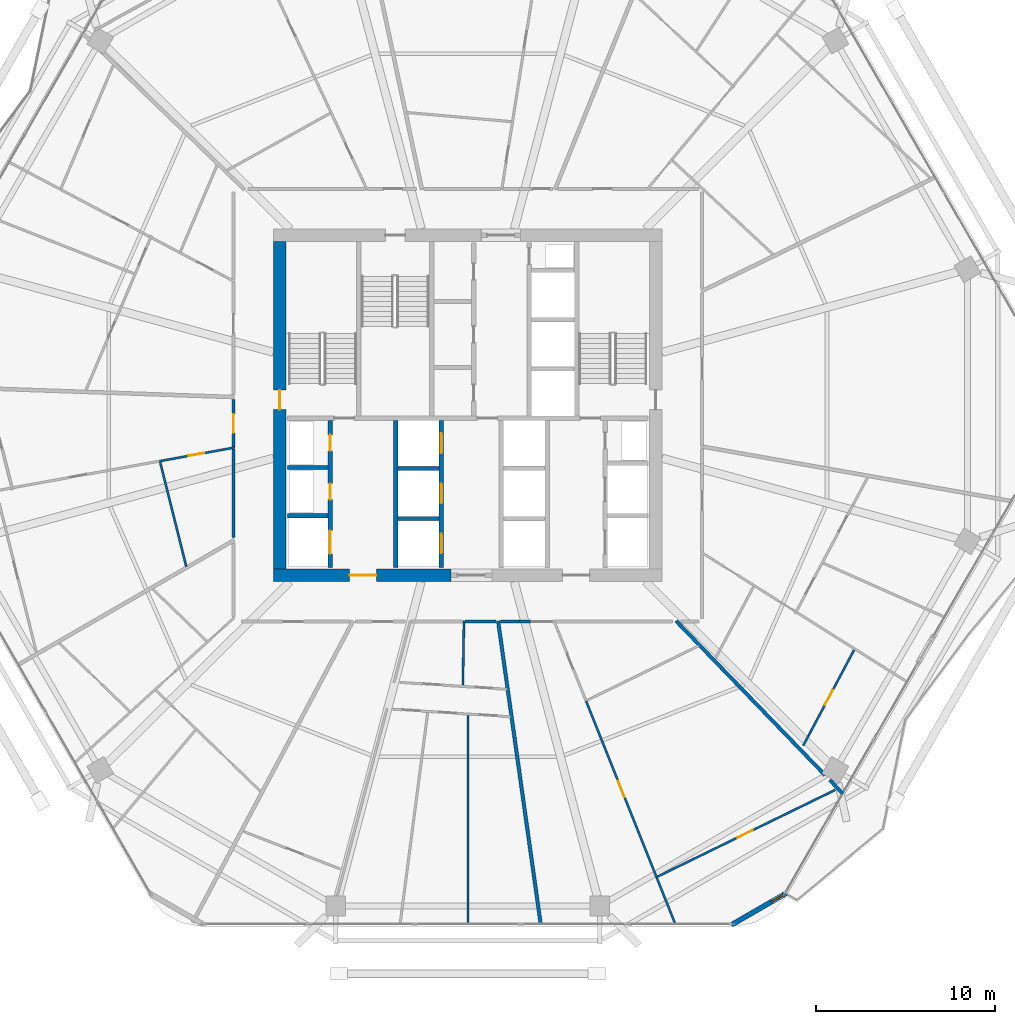
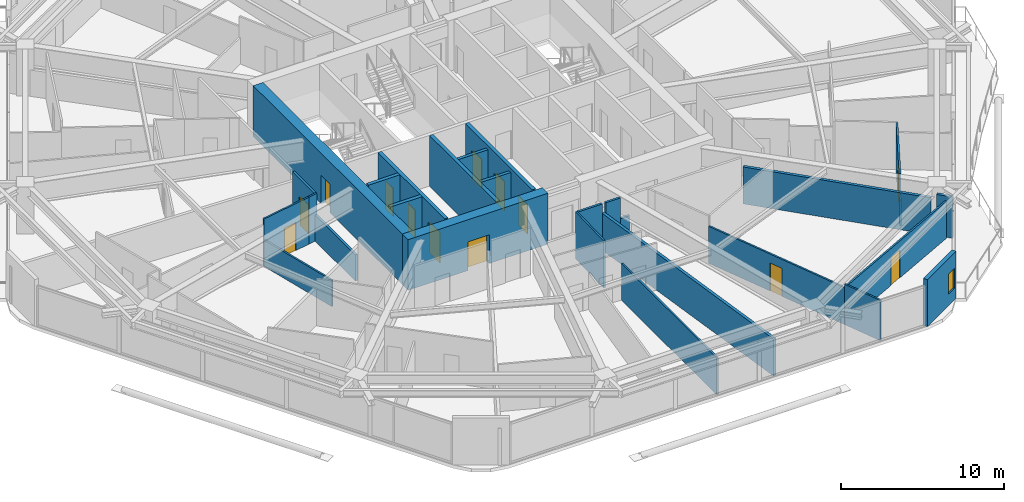
# One storey, part 27 of 33: 28 walls, 13 doors, 1 window, 14 openings.
"""IFC4 building model written with IfcOpenShell, lengths in metres."""

import ifcopenshell
import ifcopenshell.guid

model = None  # the IFC model being written
_history = None  # IfcOwnerHistory: only IFC2X3 demands one
_inside = {}  # id of a spatial element -> (the spatial element, [elements in it])
_under = {}  # id of a project, library or spatial element -> (it, [spatial elements below it])
_declared = {}  # id of a project -> (the project, [libraries it declares])
_typed = {}  # id of a type object -> (the type object, [elements of that type])
_made_of = {}  # id of a material, layer set ... -> (it, [elements and type objects made of it])


def new_model(schema):
    """Start an empty IFC model of exactly this schema.

    Asked for "IFC4X3", IfcOpenShell would pick the latest addendum, in which some entities
    have other attributes; the version numbers below select the first issue.
    IFC2X3 requires an IfcOwnerHistory on every rooted entity: one is made here for all.
    """
    global model, _history
    if schema == "IFC4X3":
        model = ifcopenshell.file(schema_version=(4, 3, 0, 0))
    else:
        model = ifcopenshell.file(schema=schema)
    _inside.clear()
    _under.clear()
    _declared.clear()
    _typed.clear()
    _made_of.clear()
    _history = None
    if model.schema == "IFC2X3":
        org = make("IfcOrganization", Name="unknown")
        user = make(
            "IfcPersonAndOrganization",
            ThePerson=make("IfcPerson", FamilyName="unknown"),
            TheOrganization=org,
        )
        app = make(
            "IfcApplication",
            ApplicationDeveloper=org,
            Version="unknown",
            ApplicationFullName="unknown",
            ApplicationIdentifier="unknown",
        )
        _history = make(
            "IfcOwnerHistory",
            OwningUser=user,
            OwningApplication=app,
            ChangeAction="ADDED",
            CreationDate=0,
        )
    return model


def make(cls, **values):
    """One entity of the class cls with the attributes given. An attribute that is None is left unset."""
    return model.create_entity(
        cls, **{name: value for name, value in values.items() if value is not None}
    )


def rooted(cls, **values):
    """An entity with a GlobalId (a new one), such as an element, a storey or a relation."""
    return make(cls, GlobalId=ifcopenshell.guid.new(), OwnerHistory=_history, **values)


def si_unit(unit_type, name, prefix=None):
    """IfcSIUnit, for example si_unit("LENGTHUNIT", "METRE", prefix="MILLI")."""
    return make("IfcSIUnit", UnitType=unit_type, Prefix=prefix, Name=name)


def assignment(units):
    """IfcUnitAssignment: the units of a project."""
    return None if units is None else make("IfcUnitAssignment", Units=units)


def point(xyz):
    """IfcCartesianPoint."""
    return None if xyz is None else make("IfcCartesianPoint", Coordinates=xyz)


def direction(xyz):
    """IfcDirection."""
    return None if xyz is None else make("IfcDirection", DirectionRatios=xyz)


def frame(location, z_axis=None, x_axis=None):
    """IfcAxis2Placement3D, a coordinate frame: its origin and axes. An axis left out is left unset."""
    return make(
        "IfcAxis2Placement3D",
        Location=point(location),
        Axis=direction(z_axis),
        RefDirection=direction(x_axis),
    )


def frame_2d(location, x_axis=None):
    """IfcAxis2Placement2D, a coordinate frame in the plane: its origin and x axis."""
    return make(
        "IfcAxis2Placement2D", Location=point(location), RefDirection=direction(x_axis)
    )


def origin():
    """The frame at (0, 0, 0) with its axes left unset."""
    return frame((0.0, 0.0, 0.0))


def place(relative_to, where):
    """IfcLocalPlacement: puts the frame where relative to a parent placement (None: the world)."""
    return make(
        "IfcLocalPlacement", PlacementRelTo=relative_to, RelativePlacement=where
    )


def context(
    kind, dimensions, precision=None, world=None, true_north=None, identifier=None
):
    """IfcGeometricRepresentationContext, for example the 3D "Model" context."""
    return make(
        "IfcGeometricRepresentationContext",
        ContextIdentifier=identifier,
        ContextType=kind,
        CoordinateSpaceDimension=dimensions,
        Precision=precision,
        WorldCoordinateSystem=world,
        TrueNorth=true_north,
    )


def subcontext(parent, identifier, kind, view, scale=None):
    """IfcGeometricRepresentationSubContext, for example "Body" below "Model"."""
    return make(
        "IfcGeometricRepresentationSubContext",
        ContextIdentifier=identifier,
        ContextType=kind,
        ParentContext=parent,
        TargetScale=scale,
        TargetView=view,
    )


def project(units=None, contexts=None):
    """IfcProject with its units and contexts."""
    return rooted(
        "IfcProject",
        Name="project",
        RepresentationContexts=contexts,
        UnitsInContext=assignment(units),
    )


def spatial(cls, under=None, at=None, **own):
    """A site, building, storey or space (cls), placed at a placement, below another one or the project."""
    s = rooted(cls, ObjectPlacement=at, **own)
    if under is not None:
        _under.setdefault(under.id(), (under, []))[1].append(s)
    return s


def profile(cls, at=None, kind="AREA", **sizes):
    """A parametric profile (cls). Its sizes go by their IFC names, for example OverallWidth=200.0."""
    return make(cls, ProfileType=kind, Position=at, **sizes)


def rectangle(**sizes):
    """IfcRectangleProfileDef."""
    return profile("IfcRectangleProfileDef", **sizes)


def extrude(swept, where, along, depth):
    """IfcExtrudedAreaSolid: the profile swept, set in the frame where, extruded along a direction by depth."""
    return make(
        "IfcExtrudedAreaSolid",
        SweptArea=swept,
        Position=where,
        ExtrudedDirection=direction(along),
        Depth=depth,
    )


def shape(context_of_items, identifier, shape_type, items):
    """IfcShapeRepresentation: the items that make up one representation, for example the "Body"."""
    return make(
        "IfcShapeRepresentation",
        ContextOfItems=context_of_items,
        RepresentationIdentifier=identifier,
        RepresentationType=shape_type,
        Items=items,
    )


def material(Name=None, Category=None):
    """IfcMaterial."""
    return make("IfcMaterial", Name=Name, Category=Category)


def layer(
    of_material, thickness, ventilated=None, Name=None, Category=None, Priority=None
):
    """IfcMaterialLayer: one layer of a wall or slab, of a material (None: an air gap)."""
    return make(
        "IfcMaterialLayer",
        Material=of_material,
        LayerThickness=thickness,
        IsVentilated=ventilated,
        Name=Name,
        Category=Category,
        Priority=Priority,
    )


def layer_set(layers, Name=None):
    """IfcMaterialLayerSet."""
    return make("IfcMaterialLayerSet", MaterialLayers=layers, LayerSetName=Name)


def made_of(thing, what):
    """Note that an element or type object is made of a material, layer set ...; save() writes the relation."""
    if what is not None:
        _made_of.setdefault(what.id(), (what, []))[1].append(thing)
    return thing


def type_object(cls, material=None, **own):
    """A type object (cls), such as IfcWallType, which elements share."""
    return made_of(rooted(cls, **own), material)


def element(
    cls,
    number,
    at=None,
    inside=None,
    cuts=None,
    type_object=None,
    material=None,
    context=None,
    identifier="Body",
    shape_type=None,
    held_by="IfcProductDefinitionShape",
    body=None,
    shapes=None,
    **own,
):
    """One element of the class cls, such as IfcWall. Its Tag is "e" and its number.

    at: its placement. inside: the storey or other place that contains it. cuts: it is an
    opening in that element (IfcRelVoidsElement). A single representation is given by context,
    identifier, shape_type and body (its items); several are given by shapes. held_by: the class
    of the entity that holds the representations. save() writes the other relations.
    """
    e = rooted(cls, Tag="e%d" % number, ObjectPlacement=at, **own)
    if body is not None:
        shapes = [shape(context, identifier, shape_type, body)]
    if shapes is not None:
        e.Representation = make(held_by, Representations=shapes)
    if inside is not None:
        _inside.setdefault(inside.id(), (inside, []))[1].append(e)
    if cuts is not None:
        rooted(
            "IfcRelVoidsElement", RelatingBuildingElement=cuts, RelatedOpeningElement=e
        )
    if type_object is not None:
        _typed.setdefault(type_object.id(), (type_object, []))[1].append(e)
    return made_of(e, material)


def fill(opening, filler):
    """IfcRelFillsElement: the door or window that sits in an opening."""
    return rooted(
        "IfcRelFillsElement",
        RelatingOpeningElement=opening,
        RelatedBuildingElement=filler,
    )


def aggregate(whole, parts):
    """IfcRelAggregates: a whole, such as a stair, and the parts it consists of."""
    return rooted("IfcRelAggregates", RelatingObject=whole, RelatedObjects=parts)


def save(model, path):
    """Write the relations noted so far, then the file.

    IfcRelAggregates (storeys below a building ...), IfcRelContainedInSpatialStructure (elements
    in a storey), IfcRelDefinesByType, IfcRelAssociatesMaterial and IfcRelDeclares: one each for
    every whole, place, type object, material and project.
    """
    for whole, parts in _under.values():
        aggregate(whole, parts)
    for where, things in _inside.values():
        rooted(
            "IfcRelContainedInSpatialStructure",
            RelatedElements=things,
            RelatingStructure=where,
        )
    for kind, things in _typed.values():
        rooted("IfcRelDefinesByType", RelatedObjects=things, RelatingType=kind)
    for what, things in _made_of.values():
        rooted("IfcRelAssociatesMaterial", RelatedObjects=things, RelatingMaterial=what)
    for by, libraries in _declared.values():
        rooted("IfcRelDeclares", RelatingContext=by, RelatedDefinitions=libraries)
    model.write(path)


model = new_model("IFC4")

# Units and contexts
model_context = context("Model", 3, precision=1e-05, world=origin(), true_north=direction((0.0, 1.0)))
body_context = subcontext(model_context, "Body", "Model", "MODEL_VIEW")
ifc_project = project(units=[si_unit("LENGTHUNIT", "METRE"), si_unit("AREAUNIT", "SQUARE_METRE"), si_unit("VOLUMEUNIT", "CUBIC_METRE"), si_unit("PLANEANGLEUNIT", "RADIAN"), si_unit("MASSUNIT", "GRAM", prefix="KILO")], contexts=[model_context])

# Site, building, storey
site_placement = place(None, origin())
site = spatial("IfcSite", under=ifc_project, at=site_placement, CompositionType="ELEMENT")
building_placement = place(site_placement, origin())
building = spatial("IfcBuilding", under=site, at=building_placement, Name="Zuhravey Tower", CompositionType="ELEMENT")
storey_placement = place(building_placement, frame((0.0, 0.0, 141.800048828125)))
storey = spatial("IfcBuildingStorey", under=building, at=storey_placement, Name="L35", CompositionType="ELEMENT", Elevation=141.800048828125)

# Wall, opening, door
ifc_material_1 = material(Name="Concrete C60/75", Category="concrete")
ifc_layer_1 = layer(ifc_material_1, 0.699951171875)
ifc_layer_set_1 = layer_set([ifc_layer_1], Name="Concrete C60/75")
wall_type_1 = type_object("IfcWallType", Name="Core Shear Wall 700", PredefinedType="SHEAR", material=ifc_layer_set_1)
wall_1_placement = place(storey_placement, frame((25.14990234375, 22.5, 0.0), z_axis=(0.0, 0.0, 1.0), x_axis=(1.0, 0.0, 0.0)))
wall_1 = element("IfcWall", 1, at=wall_1_placement, inside=storey, type_object=wall_type_1, Name="L35 South-West Core Shear Wall CW70", PredefinedType="SHEAR", context=body_context, shape_type="SweptSolid", body=[
    extrude(rectangle(XDim=9.900146484375, YDim=0.699951171875, at=frame_2d((4.9501953125, 0.0))), origin(), (0.0, 0.0, 1.0), 3.800048828125),
])
opening_1_placement = place(wall_1_placement, frame((4.25, 0.0, 0.0)))
opening_1 = element("IfcOpeningElement", 2, at=opening_1_placement, cuts=wall_1, Name="Opening FFD1", PredefinedType="OPENING", context=body_context, shape_type="SweptSolid", body=[
    extrude(rectangle(XDim=1.5, YDim=2.14990234375, at=frame_2d((0.75, 1.074951171875))), frame((0.0, 0.362060546875, 0.0), z_axis=(0.0, -1.0, 0.0), x_axis=(1.0, 0.0, 0.0)), (0.0, 0.0, 1.0), 0.723876953125),
])
ifc_material_2 = material(Name="Galvanised fire-rated steel leaf", Category="steel")
door_type_1 = type_object("IfcDoorType", Name="Firefighting Lobby Double Door 1500x2150", OperationType="DOUBLE_DOOR_SINGLE_SWING", PredefinedType="DOOR", material=ifc_material_2)
door_1_placement = place(opening_1_placement, origin())
door_1 = element("IfcDoor", 3, at=door_1_placement, inside=storey, type_object=door_type_1, Name="L35 Firefighting Lobby West Door", OperationType="DOUBLE_DOOR_SINGLE_SWING", OverallHeight=2.14990234375, OverallWidth=1.5, PredefinedType="DOOR", context=body_context, shape_type="SweptSolid", body=[
    extrude(rectangle(XDim=1.5, YDim=2.14990234375, at=frame_2d((0.75, 1.074951171875))), frame((0.0, 0.02490234375, 0.0), z_axis=(0.0, -1.0, 0.0), x_axis=(1.0, 0.0, 0.0)), (0.0, 0.0, 1.0), 0.050048828125),
])
fill(opening_1, door_1)

wall_2_placement = place(storey_placement, frame((25.5, 22.85009765625, 0.0), z_axis=(0.0, 0.0, 1.0), x_axis=(0.0, 1.0, 0.0)))
wall_2 = element("IfcWall", 4, at=wall_2_placement, inside=storey, type_object=wall_type_1, Name="L35 West Core Shear Wall CW70", PredefinedType="SHEAR", context=body_context, shape_type="SweptSolid", body=[
    extrude(rectangle(XDim=18.2998046875, YDim=0.699951171875, at=frame_2d((9.14990234375, 0.0))), origin(), (0.0, 0.0, 1.0), 3.800048828125),
])
opening_2_placement = place(wall_2_placement, frame((8.89990234375, 0.0, 0.0)))
opening_2 = element("IfcOpeningElement", 5, at=opening_2_placement, cuts=wall_2, Name="Opening STD1", PredefinedType="OPENING", context=body_context, shape_type="SweptSolid", body=[
    extrude(rectangle(XDim=1.10009765625, YDim=2.14990234375, at=frame_2d((0.550048828125, 1.074951171875))), frame((0.0, 0.362060546875, 0.0), z_axis=(0.0, -1.0, 0.0), x_axis=(1.0, 0.0, 0.0)), (0.0, 0.0, 1.0), 0.723876953125),
])
door_type_2 = type_object("IfcDoorType", Name="Protected Stair Fire Door 1100x2150", OperationType="NOTDEFINED", PredefinedType="USERDEFINED", material=ifc_material_2)
door_2_placement = place(opening_2_placement, frame((1.10009765625, 0.0, 0.0), z_axis=(0.0, 0.0, 1.0), x_axis=(-1.0, 0.0, 0.0)))
door_2 = element("IfcDoor", 6, at=door_2_placement, inside=storey, type_object=door_type_2, Name="L35 Stair ST1 Door", ObjectType="EXITDOOR", OperationType="SINGLE_SWING_RIGHT", OverallHeight=2.14990234375, OverallWidth=1.10009765625, PredefinedType="USERDEFINED", context=body_context, shape_type="SweptSolid", body=[
    extrude(rectangle(XDim=1.10009765625, YDim=2.14990234375, at=frame_2d((0.550048828125, 1.074951171875))), frame((0.0, 0.02490234375, 0.0), z_axis=(0.0, -1.0, 0.0), x_axis=(1.0, 0.0, 0.0)), (0.0, 0.0, 1.0), 0.050048828125),
])
fill(opening_2, door_2)

ifc_material_3 = material(Name="Gypsum fire-rated stud partition")
ifc_layer_2 = layer(ifc_material_3, 0.159912109375)
ifc_layer_set_2 = layer_set([ifc_layer_2], Name="Gypsum fire-rated stud partition")
wall_type_2 = type_object("IfcWallType", Name="Corridor Fire Partition 160", PredefinedType="PARTITIONING", material=ifc_layer_set_2)
wall_3_placement = place(storey_placement, frame((22.919921875, 32.322509765625, 0.0), z_axis=(0.0, 0.0, 1.0), x_axis=(0.0, -1.0, 0.0)))
wall_3 = element("IfcWall", 7, at=wall_3_placement, inside=storey, type_object=wall_type_2, Name="L35 IW16 Partition 045", PredefinedType="PARTITIONING", context=body_context, shape_type="SweptSolid", body=[
    extrude(rectangle(XDim=2.674560546875, YDim=0.159912109375, at=frame_2d((1.33740234375, 0.0))), origin(), (0.0, 0.0, 1.0), 3.52001953125),
])
opening_3_placement = place(wall_3_placement, frame((0.812255859375, 0.0, 0.0)))
opening_3 = element("IfcOpeningElement", 8, at=opening_3_placement, cuts=wall_3, Name="Opening APD1", PredefinedType="OPENING", context=body_context, shape_type="SweptSolid", body=[
    extrude(rectangle(XDim=1.050048828125, YDim=2.14990234375, at=frame_2d((0.52490234375, 1.074951171875))), frame((0.0, 0.092041015625, 0.0), z_axis=(0.0, -1.0, 0.0), x_axis=(1.0, 0.0, 0.0)), (0.0, 0.0, 1.0), 0.183837890625),
])
ifc_material_4 = material(Name="Solid-core oak fire-rated leaf")
door_type_3 = type_object("IfcDoorType", Name="Apartment Entrance Fire Door 1050x2150", OperationType="NOTDEFINED", PredefinedType="DOOR", material=ifc_material_4)
door_3_placement = place(opening_3_placement, frame((1.050048828125, 0.0, 0.0), z_axis=(0.0, 0.0, 1.0), x_axis=(-1.0, 0.0, 0.0)))
door_3 = element("IfcDoor", 9, at=door_3_placement, inside=storey, type_object=door_type_3, Name="L35 Door 045.1", OperationType="SINGLE_SWING_LEFT", OverallHeight=2.14990234375, OverallWidth=1.050048828125, PredefinedType="DOOR", context=body_context, shape_type="SweptSolid", body=[
    extrude(rectangle(XDim=1.050048828125, YDim=2.14990234375, at=frame_2d((0.52490234375, 1.074951171875))), frame((0.0, 0.02490234375, 0.0), z_axis=(0.0, -1.0, 0.0), x_axis=(1.0, 0.0, 0.0)), (0.0, 0.0, 1.0), 0.050048828125),
])
fill(opening_3, door_3)

# Walls
wall_4_placement = place(storey_placement, frame((38.864013671875, 19.919921875, 0.0), z_axis=(0.0, 0.0, 1.0), x_axis=(1.0, 0.0, 0.0)))
element("IfcWall", 10, at=wall_4_placement, inside=storey, type_object=wall_type_2, Name="L35 IW16 Partition 126", PredefinedType="PARTITIONING", context=body_context, shape_type="SweptSolid", body=[
    extrude(rectangle(XDim=0.64306640625, YDim=0.159912109375, at=frame_2d((0.321533203125, 0.0))), origin(), (0.0, 0.0, 1.0), 1.969970703125),
])
wall_5_placement = place(storey_placement, frame((37.82568359375, 19.919921875, 0.0), z_axis=(0.0, 0.0, 1.0), x_axis=(1.0, 0.0, 0.0)))
element("IfcWall", 11, at=wall_5_placement, inside=storey, type_object=wall_type_2, Name="L35 IW16 Partition 127", PredefinedType="PARTITIONING", context=body_context, shape_type="SweptSolid", body=[
    extrude(rectangle(XDim=1.038330078125, YDim=0.159912109375, at=frame_2d((0.51904296875, 0.0))), origin(), (0.0, 0.0, 1.0), 3.52001953125),
])
wall_6_placement = place(storey_placement, frame((22.919921875, 29.55859375, 0.0), z_axis=(0.0, 0.0, 1.0), x_axis=(0.0, -1.0, 0.0)))
element("IfcWall", 12, at=wall_6_placement, inside=storey, type_object=wall_type_2, Name="L35 IW16 Partition 147", PredefinedType="PARTITIONING", context=body_context, shape_type="SweptSolid", body=[
    extrude(rectangle(XDim=4.935791015625, YDim=0.159912109375, at=frame_2d((2.4677734375, 0.0))), origin(), (0.0, 0.0, 1.0), 1.969970703125),
])
wall_7_placement = place(storey_placement, frame((35.8544921875, 19.919921875, 0.0), z_axis=(0.0, 0.0, 1.0), x_axis=(1.0, 0.0, 0.0)))
element("IfcWall", 13, at=wall_7_placement, inside=storey, type_object=wall_type_2, Name="L35 IW16 Partition 150", PredefinedType="PARTITIONING", context=body_context, shape_type="SweptSolid", body=[
    extrude(rectangle(XDim=1.7158203125, YDim=0.159912109375, at=frame_2d((0.85791015625, 0.0))), origin(), (0.0, 0.0, 1.0), 3.52001953125),
])

# Wall, opening, window
ifc_material_5 = material(Name="Precast concrete C40/50", Category="concrete")
ifc_layer_3 = layer(ifc_material_5, 0.280029296875)
ifc_layer_set_3 = layer_set([ifc_layer_3], Name="Precast concrete C40/50")
wall_type_3 = type_object("IfcWallType", Name="Crown Architectural Wall 280", PredefinedType="SOLIDWALL", material=ifc_layer_set_3)
wall_8_placement = place(storey_placement, frame((53.76123046875, 4.75146484375, 0.0), z_axis=(0.0, 0.0, 1.0), x_axis=(-0.866007452331, -0.500031091541, 0.0)))
wall_8 = element("IfcWall", 14, at=wall_8_placement, inside=storey, type_object=wall_type_3, Name="L35 Rounded Corner Closure Wall EW28-02", PredefinedType="SOLIDWALL", context=body_context, shape_type="SweptSolid", body=[
    extrude(rectangle(XDim=3.514892578125, YDim=0.280029296875, at=frame_2d((1.75732421875, 0.0))), origin(), (0.0, 0.0, 1.0), 3.52001953125),
])
opening_4_placement = place(wall_8_placement, frame((0.18212890625, 0.0, 0.85009765625)))
opening_4 = element("IfcOpeningElement", 15, at=opening_4_placement, cuts=wall_8, Name="Opening WN5", PredefinedType="OPENING", context=body_context, shape_type="SweptSolid", body=[
    extrude(rectangle(XDim=0.75, YDim=1.5, at=frame_2d((0.375, 0.75))), frame((0.0, 0.152099609375, 0.0), z_axis=(0.0, -1.0, 0.0), x_axis=(1.0, 0.0, 0.0)), (0.0, 0.0, 1.0), 0.303955078125),
])
ifc_material_6 = material(Name="Thermally broken aluminium and triple low-E glass", Category="aluminium")
window_type = type_object("IfcWindowType", Name="Residential Corner Casement Window 750x1500", PartitioningType="SINGLE_PANEL", PredefinedType="WINDOW", material=ifc_material_6)
window_placement = place(opening_4_placement, origin())
window = element("IfcWindow", 16, at=window_placement, inside=storey, type_object=window_type, Name="L35 Corner Casement Window WN5-02.1", OverallHeight=1.5, OverallWidth=0.75, PartitioningType="SINGLE_PANEL", PredefinedType="WINDOW", context=body_context, shape_type="SweptSolid", body=[
    extrude(rectangle(XDim=0.75, YDim=1.5, at=frame_2d((0.375, 0.75))), frame((0.0, 0.030029296875, 0.0), z_axis=(0.0, -1.0, 0.0), x_axis=(1.0, 0.0, 0.0)), (0.0, 0.0, 1.0), 0.06005859375),
])
fill(opening_4, window)

# Walls
ifc_material_7 = material(Name="Concrete C50/60", Category="concrete")
ifc_layer_4 = layer(ifc_material_7, 0.25)
ifc_layer_set_4 = layer_set([ifc_layer_4], Name="Concrete C50/60")
wall_type_4 = type_object("IfcWallType", Name="Firefighting Shaft & Stair Wall 250", PredefinedType="SOLIDWALL", material=ifc_layer_set_4)
for number, where, z_axis, x_axis, name in (
    (17, (25.949951171875, 25.824951171875, 0.0), (0.0, 0.0, 1.0), (1.0, 0.0, 0.0), "L35 FW25 Shaft Wall 009"),
    (18, (25.949951171875, 28.52490234375, 0.0), (0.0, 0.0, 1.0), (1.0, 0.0, 0.0), "L35 FW25 Shaft Wall 010"),
):
    element("IfcWall", number, at=place(storey_placement, frame(where, z_axis=z_axis, x_axis=x_axis)), inside=storey, type_object=wall_type_4, Name=name, PredefinedType="SOLIDWALL", context=body_context, shape_type="SweptSolid", body=[
        extrude(rectangle(XDim=2.25, YDim=0.25, at=frame_2d((1.125, 0.0))), origin(), (0.0, 0.0, 1.0), 3.800048828125),
    ])

# Wall, openings, doors
wall_9_placement = place(storey_placement, frame((28.324951171875, 22.949951171875, 0.0), z_axis=(0.0, 0.0, 1.0), x_axis=(0.0, 1.0, 0.0)))
wall_9 = element("IfcWall", 19, at=wall_9_placement, inside=storey, type_object=wall_type_4, Name="L35 FW25 Shaft Wall 011", PredefinedType="SOLIDWALL", context=body_context, shape_type="SweptSolid", body=[
    extrude(rectangle(XDim=8.199951171875, YDim=0.25, at=frame_2d((4.10009765625, 0.0))), origin(), (0.0, 0.0, 1.0), 3.800048828125),
])
opening_5_placement = place(wall_9_placement, frame((0.75, 0.0, 0.0)))
opening_5 = element("IfcOpeningElement", 20, at=opening_5_placement, cuts=wall_9, Name="Opening LD2", PredefinedType="OPENING", context=body_context, shape_type="SweptSolid", body=[
    extrude(rectangle(XDim=1.300048828125, YDim=2.300048828125, at=frame_2d((0.64990234375, 1.14990234375))), frame((0.0, 0.136962890625, 0.0), z_axis=(0.0, -1.0, 0.0), x_axis=(1.0, 0.0, 0.0)), (0.0, 0.0, 1.0), 0.27392578125),
])
opening_6_placement = place(wall_9_placement, frame((3.780029296875, 0.0, 0.0)))
opening_6 = element("IfcOpeningElement", 21, at=opening_6_placement, cuts=wall_9, Name="Opening RSD1", PredefinedType="OPENING", context=body_context, shape_type="SweptSolid", body=[
    extrude(rectangle(XDim=0.89990234375, YDim=2.10009765625, at=frame_2d((0.449951171875, 1.050048828125))), frame((0.0, 0.136962890625, 0.0), z_axis=(0.0, -1.0, 0.0), x_axis=(1.0, 0.0, 0.0)), (0.0, 0.0, 1.0), 0.27392578125),
])
opening_7_placement = place(wall_9_placement, frame((6.5, 0.0, 0.0)))
opening_7 = element("IfcOpeningElement", 22, at=opening_7_placement, cuts=wall_9, Name="Opening RSD1", PredefinedType="OPENING", context=body_context, shape_type="SweptSolid", body=[
    extrude(rectangle(XDim=0.89990234375, YDim=2.10009765625, at=frame_2d((0.449951171875, 1.050048828125))), frame((0.0, 0.136962890625, 0.0), z_axis=(0.0, -1.0, 0.0), x_axis=(1.0, 0.0, 0.0)), (0.0, 0.0, 1.0), 0.27392578125),
])
ifc_material_8 = material(Name="Brushed stainless steel", Category="steel")
door_type_4 = type_object("IfcDoorType", Name="Freight & Stretcher Lift Sliding Door 1300x2300", OperationType="DOUBLE_DOOR_SLIDING", PredefinedType="DOOR", material=ifc_material_8)
door_4_placement = place(opening_5_placement, frame((1.300048828125, 0.0, 0.0), z_axis=(0.0, 0.0, 1.0), x_axis=(-1.0, 0.0, 0.0)))
door_4 = element("IfcDoor", 23, at=door_4_placement, inside=storey, type_object=door_type_4, Name="L35 Lift FF1 Landing Door", OperationType="DOUBLE_DOOR_SLIDING", OverallHeight=2.300048828125, OverallWidth=1.300048828125, PredefinedType="DOOR", context=body_context, shape_type="SweptSolid", body=[
    extrude(rectangle(XDim=1.300048828125, YDim=2.300048828125, at=frame_2d((0.64990234375, 1.14990234375))), frame((0.0, 0.02490234375, 0.0), z_axis=(0.0, -1.0, 0.0), x_axis=(1.0, 0.0, 0.0)), (0.0, 0.0, 1.0), 0.050048828125),
])
fill(opening_5, door_4)
ifc_material_9 = material(Name="Galvanised fire-rated steel access leaf", Category="steel")
door_type_5 = type_object("IfcDoorType", Name="Riser & Shaft Access Fire Door 900x2100", OperationType="NOTDEFINED", PredefinedType="DOOR", material=ifc_material_9)
door_5_placement = place(opening_6_placement, frame((0.89990234375, 0.0, 0.0), z_axis=(0.0, 0.0, 1.0), x_axis=(-1.0, 0.0, 0.0)))
door_5 = element("IfcDoor", 24, at=door_5_placement, inside=storey, type_object=door_type_5, Name="L35 Electrical Riser Door", OperationType="SINGLE_SWING_RIGHT", OverallHeight=2.10009765625, OverallWidth=0.89990234375, PredefinedType="DOOR", context=body_context, shape_type="SweptSolid", body=[
    extrude(rectangle(XDim=0.89990234375, YDim=2.10009765625, at=frame_2d((0.449951171875, 1.050048828125))), frame((0.0, 0.02490234375, 0.0), z_axis=(0.0, -1.0, 0.0), x_axis=(1.0, 0.0, 0.0)), (0.0, 0.0, 1.0), 0.050048828125),
])
fill(opening_6, door_5)
door_6_placement = place(opening_7_placement, frame((0.89990234375, 0.0, 0.0), z_axis=(0.0, 0.0, 1.0), x_axis=(-1.0, 0.0, 0.0)))
door_6 = element("IfcDoor", 25, at=door_6_placement, inside=storey, type_object=door_type_5, Name="L35 Smoke Shaft Access Door", OperationType="SINGLE_SWING_LEFT", OverallHeight=2.10009765625, OverallWidth=0.89990234375, PredefinedType="DOOR", context=body_context, shape_type="SweptSolid", body=[
    extrude(rectangle(XDim=0.89990234375, YDim=2.10009765625, at=frame_2d((0.449951171875, 1.050048828125))), frame((0.0, 0.02490234375, 0.0), z_axis=(0.0, -1.0, 0.0), x_axis=(1.0, 0.0, 0.0)), (0.0, 0.0, 1.0), 0.050048828125),
])
fill(opening_7, door_6)

# Wall
wall_10_placement = place(storey_placement, frame((31.97509765625, 22.949951171875, 0.0), z_axis=(0.0, 0.0, 1.0), x_axis=(0.0, 1.0, 0.0)))
element("IfcWall", 26, at=wall_10_placement, inside=storey, type_object=wall_type_4, Name="L35 FW25 Shaft Wall 012", PredefinedType="SOLIDWALL", context=body_context, shape_type="SweptSolid", body=[
    extrude(rectangle(XDim=8.199951171875, YDim=0.25, at=frame_2d((4.10009765625, 0.0))), origin(), (0.0, 0.0, 1.0), 3.800048828125),
])

# Wall, openings, doors
wall_11_placement = place(storey_placement, frame((34.52490234375, 22.949951171875, 0.0), z_axis=(0.0, 0.0, 1.0), x_axis=(0.0, 1.0, 0.0)))
wall_11 = element("IfcWall", 27, at=wall_11_placement, inside=storey, type_object=wall_type_4, Name="L35 FW25 Shaft Wall 013", PredefinedType="SOLIDWALL", context=body_context, shape_type="SweptSolid", body=[
    extrude(rectangle(XDim=8.199951171875, YDim=0.25, at=frame_2d((4.10009765625, 0.0))), origin(), (0.0, 0.0, 1.0), 3.800048828125),
])
opening_8_placement = place(wall_11_placement, frame((0.77490234375, 0.0, 0.0)))
opening_8 = element("IfcOpeningElement", 28, at=opening_8_placement, cuts=wall_11, Name="Opening LD1", PredefinedType="OPENING", context=body_context, shape_type="SweptSolid", body=[
    extrude(rectangle(XDim=1.10009765625, YDim=2.199951171875, at=frame_2d((0.550048828125, 1.10009765625))), frame((0.0, 0.136962890625, 0.0), z_axis=(0.0, -1.0, 0.0), x_axis=(1.0, 0.0, 0.0)), (0.0, 0.0, 1.0), 0.27392578125),
])
opening_9_placement = place(wall_11_placement, frame((3.574951171875, 0.0, 0.0)))
opening_9 = element("IfcOpeningElement", 29, at=opening_9_placement, cuts=wall_11, Name="Opening LD1", PredefinedType="OPENING", context=body_context, shape_type="SweptSolid", body=[
    extrude(rectangle(XDim=1.10009765625, YDim=2.199951171875, at=frame_2d((0.550048828125, 1.10009765625))), frame((0.0, 0.136962890625, 0.0), z_axis=(0.0, -1.0, 0.0), x_axis=(1.0, 0.0, 0.0)), (0.0, 0.0, 1.0), 0.27392578125),
])
opening_10_placement = place(wall_11_placement, frame((6.375, 0.0, 0.0)))
opening_10 = element("IfcOpeningElement", 30, at=opening_10_placement, cuts=wall_11, Name="Opening LD1", PredefinedType="OPENING", context=body_context, shape_type="SweptSolid", body=[
    extrude(rectangle(XDim=1.10009765625, YDim=2.199951171875, at=frame_2d((0.550048828125, 1.10009765625))), frame((0.0, 0.136962890625, 0.0), z_axis=(0.0, -1.0, 0.0), x_axis=(1.0, 0.0, 0.0)), (0.0, 0.0, 1.0), 0.27392578125),
])
door_type_6 = type_object("IfcDoorType", Name="Lift Landing Sliding Door 1100x2200", OperationType="DOUBLE_DOOR_SLIDING", PredefinedType="DOOR", material=ifc_material_8)
door_7_placement = place(opening_8_placement, frame((1.10009765625, 0.0, 0.0), z_axis=(0.0, 0.0, 1.0), x_axis=(-1.0, 0.0, 0.0)))
door_7 = element("IfcDoor", 31, at=door_7_placement, inside=storey, type_object=door_type_6, Name="L35 Lift PL1 Landing Door", OperationType="DOUBLE_DOOR_SLIDING", OverallHeight=2.199951171875, OverallWidth=1.10009765625, PredefinedType="DOOR", context=body_context, shape_type="SweptSolid", body=[
    extrude(rectangle(XDim=1.10009765625, YDim=2.199951171875, at=frame_2d((0.550048828125, 1.10009765625))), frame((0.0, 0.02490234375, 0.0), z_axis=(0.0, -1.0, 0.0), x_axis=(1.0, 0.0, 0.0)), (0.0, 0.0, 1.0), 0.050048828125),
])
fill(opening_8, door_7)
door_8_placement = place(opening_9_placement, frame((1.10009765625, 0.0, 0.0), z_axis=(0.0, 0.0, 1.0), x_axis=(-1.0, 0.0, 0.0)))
door_8 = element("IfcDoor", 32, at=door_8_placement, inside=storey, type_object=door_type_6, Name="L35 Lift PL2 Landing Door", OperationType="DOUBLE_DOOR_SLIDING", OverallHeight=2.199951171875, OverallWidth=1.10009765625, PredefinedType="DOOR", context=body_context, shape_type="SweptSolid", body=[
    extrude(rectangle(XDim=1.10009765625, YDim=2.199951171875, at=frame_2d((0.550048828125, 1.10009765625))), frame((0.0, 0.02490234375, 0.0), z_axis=(0.0, -1.0, 0.0), x_axis=(1.0, 0.0, 0.0)), (0.0, 0.0, 1.0), 0.050048828125),
])
fill(opening_9, door_8)
door_9_placement = place(opening_10_placement, frame((1.10009765625, 0.0, 0.0), z_axis=(0.0, 0.0, 1.0), x_axis=(-1.0, 0.0, 0.0)))
door_9 = element("IfcDoor", 33, at=door_9_placement, inside=storey, type_object=door_type_6, Name="L35 Lift PL3 Landing Door", OperationType="DOUBLE_DOOR_SLIDING", OverallHeight=2.199951171875, OverallWidth=1.10009765625, PredefinedType="DOOR", context=body_context, shape_type="SweptSolid", body=[
    extrude(rectangle(XDim=1.10009765625, YDim=2.199951171875, at=frame_2d((0.550048828125, 1.10009765625))), frame((0.0, 0.02490234375, 0.0), z_axis=(0.0, -1.0, 0.0), x_axis=(1.0, 0.0, 0.0)), (0.0, 0.0, 1.0), 0.050048828125),
])
fill(opening_10, door_9)

# Walls
ifc_material_10 = material(Name="Gypsum double-stud party assembly")
ifc_layer_5 = layer(ifc_material_10, 0.199951171875)
ifc_layer_set_5 = layer_set([ifc_layer_5], Name="Gypsum double-stud party assembly")
wall_type_5 = type_object("IfcWallType", Name="Inter-Tenancy Party Wall 200", PredefinedType="PARTITIONING", material=ifc_layer_set_5)
wall_12_placement = place(storey_placement, frame((37.692138671875, 19.9599609375, 0.0), z_axis=(0.0, 0.0, 1.0), x_axis=(0.139170315648, -0.990268460188, 0.0)))
element("IfcWall", 34, at=wall_12_placement, inside=storey, type_object=wall_type_5, Name="L35 IW20 Partition 122", PredefinedType="PARTITIONING", context=body_context, shape_type="SweptSolid", body=[
    extrude(rectangle(XDim=17.084716796875, YDim=0.199951171875, at=frame_2d((8.54248046875, 0.0))), origin(), (0.0, 0.0, 1.0), 2.77001953125),
])
wall_13_placement = place(storey_placement, frame((47.626953125, 19.9599609375, 0.0), z_axis=(0.0, 0.0, 1.0), x_axis=(0.694659610847, -0.719338602508, 0.0)))
element("IfcWall", 35, at=wall_13_placement, inside=storey, type_object=wall_type_5, Name="L35 IW20 Partition 128", PredefinedType="PARTITIONING", context=body_context, shape_type="SweptSolid", body=[
    extrude(rectangle(XDim=11.97998046875, YDim=0.199951171875, at=frame_2d((5.989990234375, 0.0))), origin(), (0.0, 0.0, 1.0), 2.77001953125),
])
wall_14_placement = place(storey_placement, frame((56.208984375, 11.072998046875, 0.0), z_axis=(0.0, 0.0, 1.0), x_axis=(0.694716755503, -0.719283413977, 0.0)))
element("IfcWall", 36, at=wall_14_placement, inside=storey, type_object=wall_type_5, Name="L35 IW20 Partition 129", PredefinedType="PARTITIONING", context=body_context, shape_type="SweptSolid", body=[
    extrude(rectangle(XDim=1.033447265625, YDim=0.199951171875, at=frame_2d((0.5166015625, 0.0))), origin(), (0.0, 0.0, 1.0), 3.092041015625),
])
ifc_material_11 = material(Name="Gypsum acoustic stud assembly")
ifc_layer_6 = layer(ifc_material_11, 0.219970703125)
ifc_layer_set_6 = layer_set([ifc_layer_6], Name="Gypsum acoustic stud assembly")
wall_type_6 = type_object("IfcWallType", Name="School Acoustic Compartment Wall 220", PredefinedType="PARTITIONING", material=ifc_layer_set_6)
for number, where, z_axis, x_axis, name in (
    (37, (32.10791015625, 25.675048828125, 0.0), (0.0, 0.0, 1.0), (1.0, 0.0, 0.0), "L35 IW22 Partition 071"),
    (38, (32.10791015625, 28.47509765625, 0.0), (0.0, 0.0, 1.0), (1.0, 0.0, 0.0), "L35 IW22 Partition 072"),
):
    element("IfcWall", number, at=place(storey_placement, frame(where, z_axis=z_axis, x_axis=x_axis)), inside=storey, type_object=wall_type_6, Name=name, PredefinedType="PARTITIONING", context=body_context, shape_type="SweptSolid", body=[
        extrude(rectangle(XDim=2.2841796875, YDim=0.219970703125, at=frame_2d((1.14208984375, 0.0))), origin(), (0.0, 0.0, 1.0), 3.52001953125),
    ])

# Wall, opening, door
ifc_material_12 = material(Name="Gypsum metal-stud partition")
ifc_layer_7 = layer(ifc_material_12, 0.1201171875)
ifc_layer_set_7 = layer_set([ifc_layer_7], Name="Gypsum metal-stud partition")
wall_type_7 = type_object("IfcWallType", Name="Unit Internal Partition 120", PredefinedType="PARTITIONING", material=ifc_layer_set_7)
wall_15_placement = place(storey_placement, frame((22.35009765625, 29.5244140625, 0.0), z_axis=(0.0, 0.0, 1.0), x_axis=(-0.98394216941, -0.178487554906, 0.0)))
wall_15 = element("IfcWall", 39, at=wall_15_placement, inside=storey, type_object=wall_type_7, Name="L35 IW12 Partition 041", PredefinedType="PARTITIONING", context=body_context, shape_type="SweptSolid", body=[
    extrude(rectangle(XDim=3.617919921875, YDim=0.1201171875, at=frame_2d((1.80908203125, 0.0))), origin(), (0.0, 0.0, 1.0), 3.52001953125),
])
opening_11_placement = place(wall_15_placement, frame((1.069580078125, 0.0, 0.0)))
opening_11 = element("IfcOpeningElement", 40, at=opening_11_placement, cuts=wall_15, Name="Opening WCD1", PredefinedType="OPENING", context=body_context, shape_type="SweptSolid", body=[
    extrude(rectangle(XDim=0.89990234375, YDim=2.10009765625, at=frame_2d((0.449951171875, 1.050048828125))), frame((0.0, 0.072021484375, 0.0), z_axis=(0.0, -1.0, 0.0), x_axis=(1.0, 0.0, 0.0)), (0.0, 0.0, 1.0), 0.14404296875),
])
ifc_material_13 = material(Name="Moisture-resistant timber leaf", Category="wood")
door_type_7 = type_object("IfcDoorType", Name="Bathroom & WC Internal Door 900x2100", OperationType="NOTDEFINED", PredefinedType="DOOR", material=ifc_material_13)
door_10_placement = place(opening_11_placement, origin())
door_10 = element("IfcDoor", 41, at=door_10_placement, inside=storey, type_object=door_type_7, Name="Apartment L35-05 Bathroom Door", OperationType="SINGLE_SWING_RIGHT", OverallHeight=2.10009765625, OverallWidth=0.89990234375, PredefinedType="DOOR", context=body_context, shape_type="SweptSolid", body=[
    extrude(rectangle(XDim=0.89990234375, YDim=2.10009765625, at=frame_2d((0.449951171875, 1.050048828125))), frame((0.0, 0.02490234375, 0.0), z_axis=(0.0, -1.0, 0.0), x_axis=(1.0, 0.0, 0.0)), (0.0, 0.0, 1.0), 0.050048828125),
])
fill(opening_11, door_10)

wall_16_placement = place(storey_placement, frame((42.6083984375, 15.477783203125, 0.0), z_axis=(0.0, 0.0, 1.0), x_axis=(0.371370817249, -0.928484634281, 0.0)))
wall_16 = element("IfcWall", 42, at=wall_16_placement, inside=storey, type_object=wall_type_7, Name="L35 IW12 Partition 056", PredefinedType="PARTITIONING", context=body_context, shape_type="SweptSolid", body=[
    extrude(rectangle(XDim=10.597900390625, YDim=0.1201171875, at=frame_2d((5.298828125, 0.0))), origin(), (0.0, 0.0, 1.0), 2.77001953125),
])
opening_12_placement = place(wall_16_placement, frame((4.799072265625, 0.0, 0.0)))
opening_12 = element("IfcOpeningElement", 43, at=opening_12_placement, cuts=wall_16, Name="Opening IND1", PredefinedType="OPENING", context=body_context, shape_type="SweptSolid", body=[
    extrude(rectangle(XDim=0.949951171875, YDim=2.10009765625, at=frame_2d((0.47509765625, 1.050048828125))), frame((0.0, 0.072021484375, 0.0), z_axis=(0.0, -1.0, 0.0), x_axis=(1.0, 0.0, 0.0)), (0.0, 0.0, 1.0), 0.14404296875),
])
ifc_material_14 = material(Name="Painted engineered timber leaf", Category="wood")
door_type_8 = type_object("IfcDoorType", Name="Internal Room & Bedroom Door 950x2100", OperationType="NOTDEFINED", PredefinedType="DOOR", material=ifc_material_14)
door_11_placement = place(opening_12_placement, origin())
door_11 = element("IfcDoor", 44, at=door_11_placement, inside=storey, type_object=door_type_8, Name="Apartment L35-08 Home Office Door", OperationType="SINGLE_SWING_RIGHT", OverallHeight=2.10009765625, OverallWidth=0.949951171875, PredefinedType="DOOR", context=body_context, shape_type="SweptSolid", body=[
    extrude(rectangle(XDim=0.949951171875, YDim=2.10009765625, at=frame_2d((0.47509765625, 1.050048828125))), frame((0.0, 0.02490234375, 0.0), z_axis=(0.0, -1.0, 0.0), x_axis=(1.0, 0.0, 0.0)), (0.0, 0.0, 1.0), 0.050048828125),
])
fill(opening_12, door_11)

wall_17_placement = place(storey_placement, frame((46.59619140625, 5.690673828125, 0.0), z_axis=(0.0, 0.0, 1.0), x_axis=(0.898799700949, 0.438359552848, 0.0)))
wall_17 = element("IfcWall", 45, at=wall_17_placement, inside=storey, type_object=wall_type_7, Name="L35 IW12 Partition 057", PredefinedType="PARTITIONING", context=body_context, shape_type="SweptSolid", body=[
    extrude(rectangle(XDim=11.03466796875, YDim=0.1201171875, at=frame_2d((5.517333984375, 0.0))), origin(), (0.0, 0.0, 1.0), 2.77001953125),
])
opening_13_placement = place(wall_17_placement, frame((4.9580078125, 0.0, 0.0)))
opening_13 = element("IfcOpeningElement", 46, at=opening_13_placement, cuts=wall_17, Name="Opening IND1", PredefinedType="OPENING", context=body_context, shape_type="SweptSolid", body=[
    extrude(rectangle(XDim=0.949951171875, YDim=2.10009765625, at=frame_2d((0.47509765625, 1.050048828125))), frame((0.0, 0.072021484375, 0.0), z_axis=(0.0, -1.0, 0.0), x_axis=(1.0, 0.0, 0.0)), (0.0, 0.0, 1.0), 0.14404296875),
])
door_12_placement = place(opening_13_placement, frame((0.949951171875, 0.0, 0.0), z_axis=(0.0, 0.0, 1.0), x_axis=(-1.0, 0.0, 0.0)))
door_12 = element("IfcDoor", 47, at=door_12_placement, inside=storey, type_object=door_type_8, Name="Apartment L35-08 Bedroom 1 Door", OperationType="SINGLE_SWING_LEFT", OverallHeight=2.10009765625, OverallWidth=0.949951171875, PredefinedType="DOOR", context=body_context, shape_type="SweptSolid", body=[
    extrude(rectangle(XDim=0.949951171875, YDim=2.10009765625, at=frame_2d((0.47509765625, 1.050048828125))), frame((0.0, 0.02490234375, 0.0), z_axis=(0.0, -1.0, 0.0), x_axis=(1.0, 0.0, 0.0)), (0.0, 0.0, 1.0), 0.050048828125),
])
fill(opening_13, door_12)

wall_18_placement = place(storey_placement, frame((55.017822265625, 13.55078125, 0.0), z_axis=(0.0, 0.0, 1.0), x_axis=(0.469471134274, 0.882947820702, 0.0)))
wall_18 = element("IfcWall", 48, at=wall_18_placement, inside=storey, type_object=wall_type_7, Name="L35 IW12 Partition 063", PredefinedType="PARTITIONING", context=body_context, shape_type="SweptSolid", body=[
    extrude(rectangle(XDim=5.423828125, YDim=0.1201171875, at=frame_2d((2.7119140625, 0.0))), origin(), (0.0, 0.0, 1.0), 3.52001953125),
])
opening_14_placement = place(wall_18_placement, frame((1.936767578125, 0.0, 0.0)))
opening_14 = element("IfcOpeningElement", 49, at=opening_14_placement, cuts=wall_18, Name="Opening IND1", PredefinedType="OPENING", context=body_context, shape_type="SweptSolid", body=[
    extrude(rectangle(XDim=0.949951171875, YDim=2.10009765625, at=frame_2d((0.47509765625, 1.050048828125))), frame((0.0, 0.072021484375, 0.0), z_axis=(0.0, -1.0, 0.0), x_axis=(1.0, 0.0, 0.0)), (0.0, 0.0, 1.0), 0.14404296875),
])
door_13_placement = place(opening_14_placement, frame((0.949951171875, 0.0, 0.0), z_axis=(0.0, 0.0, 1.0), x_axis=(-1.0, 0.0, 0.0)))
door_13 = element("IfcDoor", 50, at=door_13_placement, inside=storey, type_object=door_type_8, Name="Apartment L35-09 Bedroom 1 Door", OperationType="SINGLE_SWING_LEFT", OverallHeight=2.10009765625, OverallWidth=0.949951171875, PredefinedType="DOOR", context=body_context, shape_type="SweptSolid", body=[
    extrude(rectangle(XDim=0.949951171875, YDim=2.10009765625, at=frame_2d((0.47509765625, 1.050048828125))), frame((0.0, 0.02490234375, 0.0), z_axis=(0.0, -1.0, 0.0), x_axis=(1.0, 0.0, 0.0)), (0.0, 0.0, 1.0), 0.050048828125),
])
fill(opening_14, door_13)

# Walls
wall_19_placement = place(storey_placement, frame((22.964599609375, 29.6357421875, 0.0), z_axis=(0.0, 0.0, 1.0), x_axis=(-0.983982304382, -0.178266162415, 0.0)))
element("IfcWall", 51, at=wall_19_placement, inside=storey, type_object=wall_type_7, Name="L35 IW12 Partition 103", PredefinedType="PARTITIONING", context=body_context, shape_type="SweptSolid", body=[
    extrude(rectangle(XDim=0.62451171875, YDim=0.1201171875, at=frame_2d((0.312255859375, 0.0))), origin(), (0.0, 0.0, 1.0), 3.52001953125),
])
wall_20_placement = place(storey_placement, frame((18.831298828125, 28.81689453125, 0.0), z_axis=(0.0, 0.0, 1.0), x_axis=(0.241942185328, -0.970290667253, 0.0)))
element("IfcWall", 52, at=wall_20_placement, inside=storey, type_object=wall_type_7, Name="L35 IW12 Partition 105", PredefinedType="PARTITIONING", context=body_context, shape_type="SweptSolid", body=[
    extrude(rectangle(XDim=6.001953125, YDim=0.1201171875, at=frame_2d((3.0009765625, 0.0))), origin(), (0.0, 0.0, 1.0), 1.969970703125),
])
wall_21_placement = place(storey_placement, frame((35.78759765625, 19.969970703125, 0.0), z_axis=(0.0, 0.0, 1.0), x_axis=(-0.017701743617, -0.999843311861, 0.0)))
element("IfcWall", 53, at=wall_21_placement, inside=storey, type_object=wall_type_7, Name="L35 IW12 Partition 117", PredefinedType="PARTITIONING", context=body_context, shape_type="SweptSolid", body=[
    extrude(rectangle(XDim=3.599609375, YDim=0.1201171875, at=frame_2d((1.7998046875, 0.0))), origin(), (0.0, 0.0, 1.0), 3.52001953125),
])
wall_22_placement = place(storey_placement, frame((36.010009765625, 14.69287109375, 0.0), z_axis=(0.0, 0.0, 1.0), x_axis=(0.000586203186, -0.999999828183, 0.0)))
element("IfcWall", 54, at=wall_22_placement, inside=storey, type_object=wall_type_7, Name="L35 IW12 Partition 119", PredefinedType="PARTITIONING", context=body_context, shape_type="SweptSolid", body=[
    extrude(rectangle(XDim=11.661376953125, YDim=0.1201171875, at=frame_2d((5.83056640625, 0.0))), origin(), (0.0, 0.0, 1.0), 2.77001953125),
])
wall_23_placement = place(storey_placement, frame((46.544189453125, 5.6376953125, 0.0), z_axis=(0.0, 0.0, 1.0), x_axis=(0.371420726866, -0.928464670116, 0.0)))
element("IfcWall", 55, at=wall_23_placement, inside=storey, type_object=wall_type_7, Name="L35 IW12 Partition 124", PredefinedType="PARTITIONING", context=body_context, shape_type="SweptSolid", body=[
    extrude(rectangle(XDim=2.801513671875, YDim=0.1201171875, at=frame_2d((1.40087890625, 0.0))), origin(), (0.0, 0.0, 1.0), 3.02001953125),
])
wall_24_placement = place(storey_placement, frame((54.726806640625, 13.0029296875, 0.0), z_axis=(0.0, 0.0, 1.0), x_axis=(0.469116859209, 0.883136100726, 0.0)))
element("IfcWall", 56, at=wall_24_placement, inside=storey, type_object=wall_type_7, Name="L35 IW12 Partition 136", PredefinedType="PARTITIONING", context=body_context, shape_type="SweptSolid", body=[
    extrude(rectangle(XDim=0.620361328125, YDim=0.1201171875, at=frame_2d((0.31005859375, 0.0))), origin(), (0.0, 0.0, 1.0), 1.969970703125),
])

save(model, "model.ifc")
